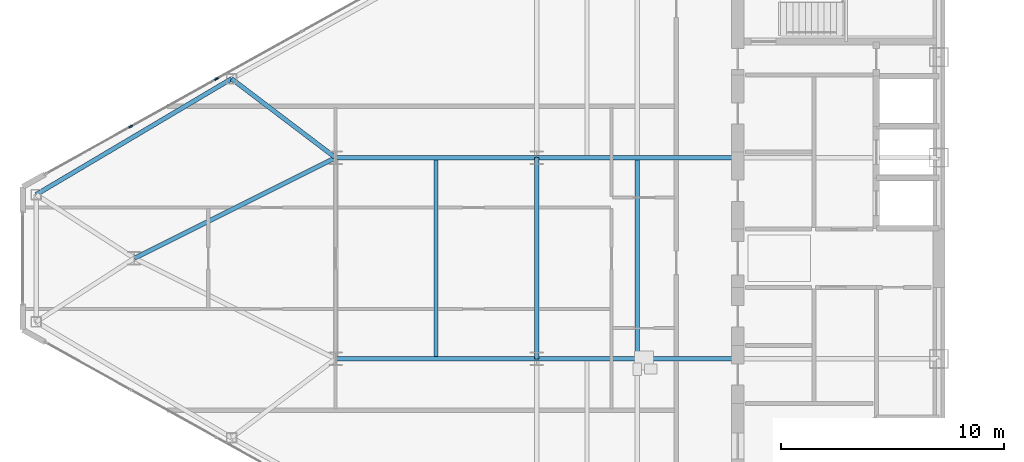
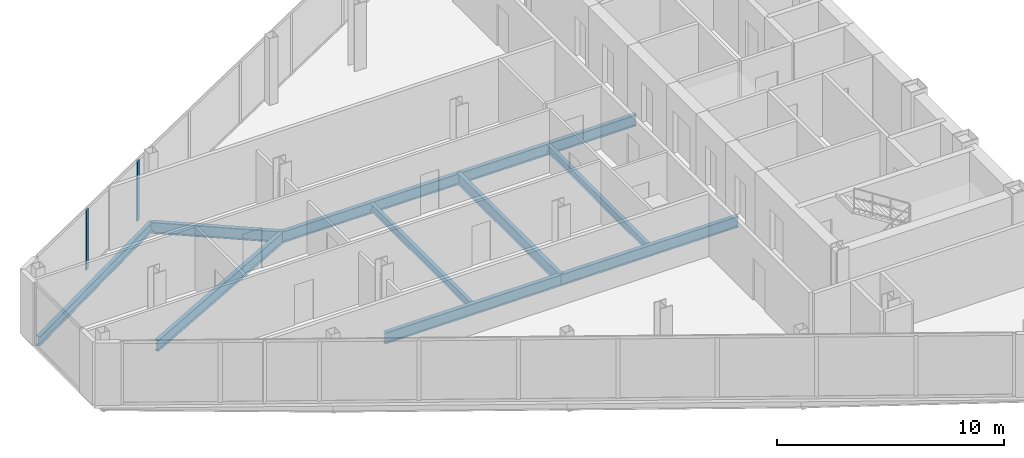
# One storey, part 6 of 26: 10 beams, 2 members, 1 element without a shape of its own.
"""IFC4 building model written with IfcOpenShell, lengths in metres."""

from ifc_helpers import new_model, si_unit, direction, frame, origin, origin_2d, place, context, subcontext, project, spatial, rectangle, i_section, extrude, source, transform, mapped, material, layer, layer_set, material_profile, profile_set, type_object, type_shapes, element, aggregate, save


model = new_model("IFC4")

# Units and contexts
model_context = context("Model", 3, precision=1e-05, world=origin(), true_north=direction((0.0, 1.0)))
body_context = subcontext(model_context, "Body", "Model", "MODEL_VIEW")
ifc_project = project(units=[si_unit("LENGTHUNIT", "METRE"), si_unit("AREAUNIT", "SQUARE_METRE"), si_unit("VOLUMEUNIT", "CUBIC_METRE"), si_unit("PLANEANGLEUNIT", "RADIAN"), si_unit("MASSUNIT", "GRAM", prefix="KILO")], contexts=[model_context])

# Site, building, storey
site_placement = place(None, origin())
site = spatial("IfcSite", under=ifc_project, at=site_placement, CompositionType="ELEMENT")
building_placement = place(site_placement, origin())
building = spatial("IfcBuilding", under=site, at=building_placement, Name="Seokmaru Belvedere", CompositionType="ELEMENT")
storey_placement = place(building_placement, frame((0.0, 0.0, 192.300048828125)))
storey = spatial("IfcBuildingStorey", under=building, at=storey_placement, Name="L51", CompositionType="ELEMENT", Elevation=192.300048828125)

# Beams
ifc_material_1 = material(Name="Steel SM355 (355 MPa)", Category="steel")
ifc_material_profile_1 = material_profile(ifc_material_1, i_section(OverallWidth=0.199951171875, OverallDepth=0.60009765625, WebThickness=0.010986328125, FlangeThickness=0.01708984375, at=origin_2d()), Name="H-600x200x11x17")
ifc_profile_set_1 = profile_set([ifc_material_profile_1], Name="Steel SM355 (355 MPa)")
beam_type_1 = type_object("IfcBeamType", Name="Primary Floor Girder H-600", PredefinedType="BEAM", material=ifc_profile_set_1)
shared_shape_1 = source(origin(), body_context, "Body", "SweptSolid", [
    extrude(i_section(OverallWidth=0.199951171875, OverallDepth=0.60009765625, WebThickness=0.010986328125, FlangeThickness=0.01708984375, at=origin_2d()), origin(), (0.0, 0.0, 1.0), 9.0),
])
for number, where, z_axis, x_axis, name in (
    (1, (-45.5, -4.5, -0.52001953125), (0.0, 1.0, 0.0), (-1.0, 0.0, 0.0), "L51 W Interior Grid Girder 2"),
    (2, (-45.5, -4.5, -0.52001953125), (1.0, 0.0, 0.0), (0.0, 1.0, 0.0), "L51 W Wing Primary Girder 2"),
    (3, (-45.5, 4.5, -0.52001953125), (1.0, 0.0, 0.0), (0.0, 1.0, 0.0), "L51 W Wing Primary Girder 3"),
    (4, (-54.5, -4.5, -0.52001953125), (1.0, 0.0, 0.0), (0.0, 1.0, 0.0), "L51 W Outer Wing Girder 1"),
    (5, (-54.5, 4.5, -0.52001953125), (1.0, 0.0, 0.0), (0.0, 1.0, 0.0), "L51 W Outer Wing Girder 2"),
):
    element("IfcBeam", number, at=place(storey_placement, frame(where, z_axis=z_axis, x_axis=x_axis)), inside=storey, type_object=beam_type_1, Name=name, PredefinedType="BEAM", context=body_context, shape_type="MappedRepresentation", body=[
        mapped(shared_shape_1, transform((0.0, 0.0, 0.0), scale=1.0)),
    ])
shared_shape_2 = source(origin(), body_context, "Body", "SweptSolid", [
    extrude(i_section(OverallWidth=0.199951171875, OverallDepth=0.60009765625, WebThickness=0.010986328125, FlangeThickness=0.01708984375, at=origin_2d()), origin(), (0.0, 0.0, 1.0), 10.062255859375),
])
beam_1_placement = place(storey_placement, frame((-54.5, 4.5, -0.52001953125), z_axis=(-0.894427191, -0.4472135955, 0.0), x_axis=(0.4472135955, -0.894427191, 0.0)))
element("IfcBeam", 6, at=beam_1_placement, inside=storey, type_object=beam_type_1, Name="L51 W Apex Converging Girder 2", PredefinedType="BEAM", context=body_context, shape_type="MappedRepresentation", body=[
    mapped(shared_shape_2, transform((0.0, 0.0, 0.0), scale=1.0)),
])
ifc_material_profile_2 = material_profile(ifc_material_1, i_section(OverallWidth=0.18505859375, OverallDepth=0.389892578125, WebThickness=0.008056640625, FlangeThickness=0.011962890625, at=origin_2d()), Name="H-390x185x8x12")
ifc_profile_set_2 = profile_set([ifc_material_profile_2], Name="Steel SM355 (355 MPa)")
beam_type_2 = type_object("IfcBeamType", Name="Secondary Floor Joist H-350", PredefinedType="JOIST", material=ifc_profile_set_2)
shared_shape_3 = source(origin(), body_context, "Body", "SweptSolid", [
    extrude(i_section(OverallWidth=0.18505859375, OverallDepth=0.389892578125, WebThickness=0.008056640625, FlangeThickness=0.011962890625, at=origin_2d()), origin(), (0.0, 0.0, 1.0), 8.7900390625),
])
type_shapes(beam_type_2, [shared_shape_3])
for number, where, z_axis, x_axis, name in (
    (7, (-41.0, -4.39501953125, -0.4150390625), (0.0, 1.0, 0.0), (-1.0, 0.0, 0.0), "L51 W Secondary Floor Joist 2"),
    (8, (-50.0, -4.39501953125, -0.4150390625), (0.0, 1.0, 0.0), (-1.0, 0.0, 0.0), "L51 W Outer Bay Secondary Joist"),
):
    element("IfcBeam", number, at=place(storey_placement, frame(where, z_axis=z_axis, x_axis=x_axis)), inside=storey, type_object=beam_type_2, Name=name, PredefinedType="JOIST", context=body_context, shape_type="MappedRepresentation", body=[
        mapped(shared_shape_3, transform((0.0, 0.0, 0.0), scale=1.0)),
    ])
ifc_material_profile_3 = material_profile(ifc_material_1, i_section(OverallWidth=0.199951171875, OverallDepth=0.5, WebThickness=0.010009765625, FlangeThickness=0.01611328125, at=origin_2d()), Name="H-500x200x10x16")
ifc_profile_set_3 = profile_set([ifc_material_profile_3], Name="Steel SM355 (355 MPa)")
beam_type_3 = type_object("IfcBeamType", Name="Perimeter Spandrel Beam H-500", PredefinedType="SPANDREL", material=ifc_profile_set_3)
shared_shape_4 = source(origin(), body_context, "Body", "SweptSolid", [
    extrude(i_section(OverallWidth=0.199951171875, OverallDepth=0.5, WebThickness=0.010009765625, FlangeThickness=0.01611328125, at=origin_2d()), origin(), (0.0, 0.0, 1.0), 10.16650390625),
])
type_shapes(beam_type_3, [shared_shape_4])
beam_2_placement = place(storey_placement, frame((-59.154541015625, 8.031494140625, -0.469970703125), z_axis=(-0.860209996506, -0.509939959124, 0.0), x_axis=(0.509939959124, -0.860209996506, 0.0)))
element("IfcBeam", 9, at=beam_2_placement, inside=storey, type_object=beam_type_3, Name="L51 W Faceted Flank Spandrel N-4", PredefinedType="SPANDREL", context=body_context, shape_type="MappedRepresentation", body=[
    mapped(shared_shape_4, transform((0.0, 0.0, 0.0), scale=1.0)),
])
shared_shape_5 = source(origin(), body_context, "Body", "SweptSolid", [
    extrude(i_section(OverallWidth=0.199951171875, OverallDepth=0.60009765625, WebThickness=0.010986328125, FlangeThickness=0.01708984375, at=origin_2d()), origin(), (0.0, 0.0, 1.0), 5.842529296875),
])
type_shapes(beam_type_1, [shared_shape_1, shared_shape_2, shared_shape_5])
beam_3_placement = place(storey_placement, frame((-59.154541015625, 8.031494140625, -0.52001953125), z_axis=(0.796653109879, -0.604436781243, 0.0), x_axis=(0.604436781243, 0.796653109879, 0.0)))
element("IfcBeam", 10, at=beam_3_placement, inside=storey, type_object=beam_type_1, Name="L51 W Flank Radial Floor Girder N-3", PredefinedType="BEAM", context=body_context, shape_type="MappedRepresentation", body=[
    mapped(shared_shape_5, transform((0.0, 0.0, 0.0), scale=1.0)),
])

# Curtain wall, members
ifc_material_2 = material(Name="Bronze Triple Insulating Glass", Category="glass")
ifc_layer = layer(ifc_material_2, 0.179931640625)
ifc_layer_set = layer_set([ifc_layer], Name="Bronze Triple Insulating Glass")
curtain_wall_type = type_object("IfcCurtainWallType", Name="High-Rise Wind-Corner Curtain Wall System CW-5", PredefinedType="NOTDEFINED", material=ifc_layer_set)
curtain_wall_placement = place(storey_placement, origin())
curtain_wall = element("IfcCurtainWall", 11, at=curtain_wall_placement, inside=storey, type_object=curtain_wall_type, Name="L51 Curtain Wall WF3", PredefinedType="NOTDEFINED")
ifc_material_3 = material(Name="Anodised Bronze Aluminium", Category="aluminium")
ifc_material_profile_4 = material_profile(ifc_material_3, rectangle(XDim=0.06494140625, YDim=0.179931640625, at=origin_2d()), Name="CW-M-65x180")
ifc_profile_set_4 = profile_set([ifc_material_profile_4], Name="Anodised Bronze Aluminium")
member_type = type_object("IfcMemberType", Name="Bronze Unitised Mullion 65x180", PredefinedType="MULLION", material=ifc_profile_set_4)
shared_shape_6 = source(origin(), body_context, "Body", "SweptSolid", [
    extrude(rectangle(XDim=0.06494140625, YDim=0.179931640625, at=origin_2d()), origin(), (0.0, 0.0, 1.0), 3.25),
])
type_shapes(member_type, [shared_shape_6])
member_1_placement = place(storey_placement, frame((-59.83056640625, 8.021728515625, 0.06494140625), z_axis=(0.0, 0.0, 1.0), x_axis=(0.486047125147, -0.873932601598, 0.0)))
member_1 = element("IfcMember", 12, at=member_1_placement, type_object=member_type, Name="CW:L51:WF3 Mullion 8", PredefinedType="MULLION", context=body_context, shape_type="MappedRepresentation", body=[
    mapped(shared_shape_6, transform((0.0, 0.0, 0.0), scale=1.0)),
])
member_2_placement = place(storey_placement, frame((-63.662841796875, 5.890380859375, 0.06494140625), z_axis=(0.0, 0.0, 1.0), x_axis=(0.486047125147, -0.873932601598, 0.0)))
member_2 = element("IfcMember", 13, at=member_2_placement, type_object=member_type, Name="CW:L51:WF3 Mullion 9", PredefinedType="MULLION", context=body_context, shape_type="MappedRepresentation", body=[
    mapped(shared_shape_6, transform((0.0, 0.0, 0.0), scale=1.0)),
])
aggregate(curtain_wall, [member_1, member_2])

save(model, "model.ifc")
